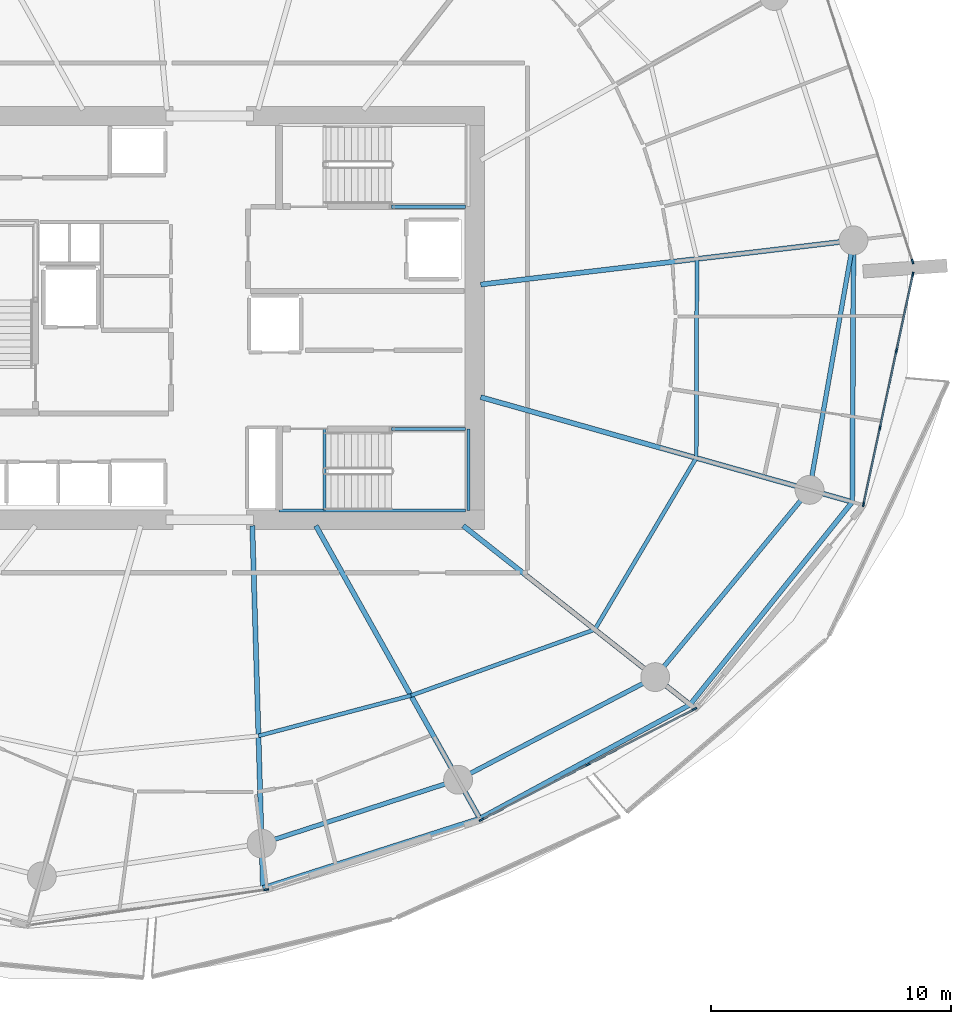
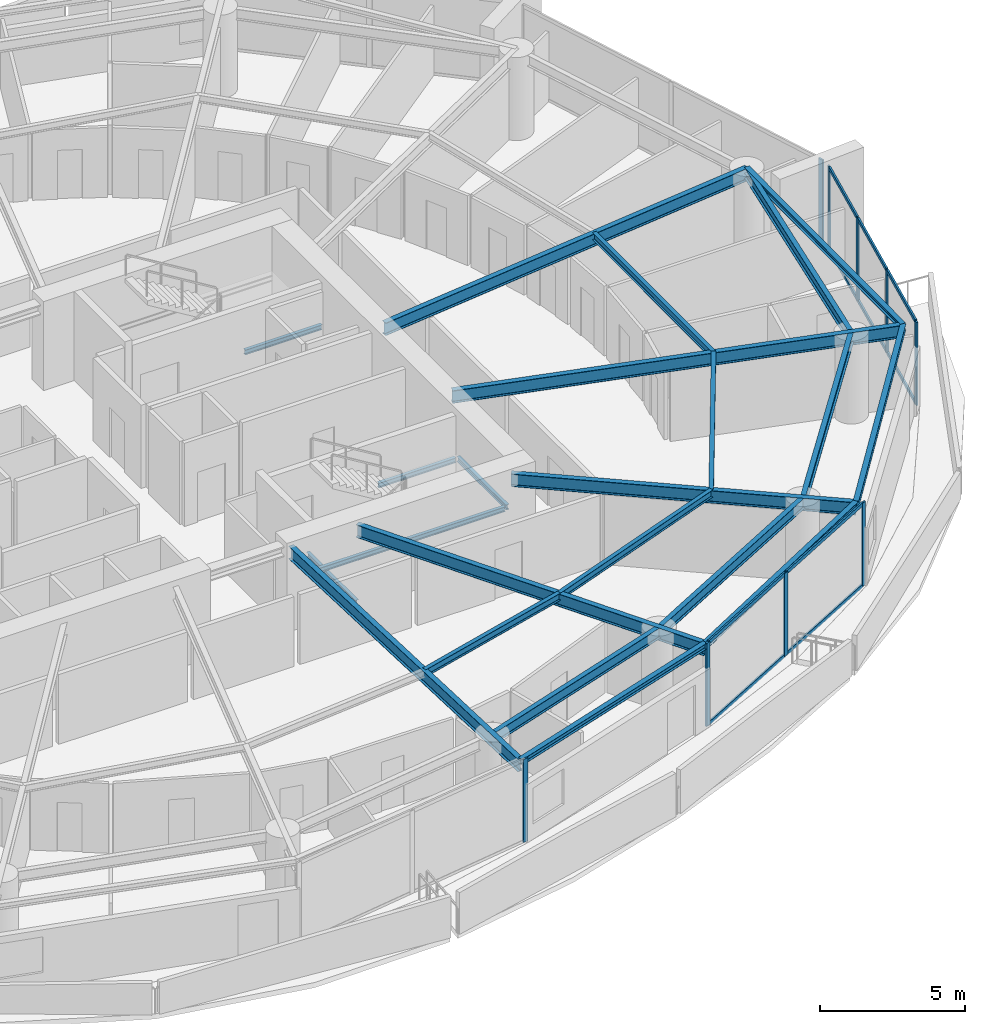
# One storey, part 7 of 23: 22 beams, 19 members, 4 elements without a shape of their own.
"""IFC4 building model written with IfcOpenShell, lengths in metres."""

from ifc_helpers import new_model, si_unit, direction, frame, origin, origin_2d, place, context, subcontext, project, spatial, rectangle, i_section, extrude, material, layer, layer_set, material_profile, profile_set, type_object, element, aggregate, save


model = new_model("IFC4")

# Units and contexts
model_context = context("Model", 3, precision=1e-05, world=origin(), true_north=direction((0.0, 1.0)))
body_context = subcontext(model_context, "Body", "Model", "MODEL_VIEW")
ifc_project = project(units=[si_unit("LENGTHUNIT", "METRE"), si_unit("AREAUNIT", "SQUARE_METRE"), si_unit("VOLUMEUNIT", "CUBIC_METRE"), si_unit("PLANEANGLEUNIT", "RADIAN"), si_unit("MASSUNIT", "GRAM", prefix="KILO")], contexts=[model_context])

# Site, building, storey
site_placement = place(None, origin())
site = spatial("IfcSite", under=ifc_project, at=site_placement, CompositionType="ELEMENT")
building_placement = place(site_placement, origin())
building = spatial("IfcBuilding", under=site, at=building_placement, Name="Kazma Halo Residences", CompositionType="ELEMENT")
storey_placement = place(building_placement, frame((0.0, 0.0, 105.14990234375)))
storey = spatial("IfcBuildingStorey", under=building, at=storey_placement, Name="L26", CompositionType="ELEMENT", Elevation=105.14990234375)

# Beams
ifc_material_1 = material(Name="Steel S355", Category="steel")
ifc_material_profile_1 = material_profile(ifc_material_1, i_section(OverallWidth=0.201904296875, OverallDepth=0.2470703125, WebThickness=0.00732421875, FlangeThickness=0.010986328125, FilletRadius=0.011962890625, at=origin_2d()), Name="W250x49.1")
ifc_profile_set_1 = profile_set([ifc_material_profile_1], Name="Steel S355")
beam_type_1 = type_object("IfcBeamType", Name="BM-BAL-CANT", PredefinedType="BEAM", material=ifc_profile_set_1)
beam_1_placement = place(storey_placement, frame((50.642578125, 18.28173828125, 3.376708984375), z_axis=(0.952319061301, 0.305103925709, 0.0), x_axis=(-0.305103925709, 0.952319061301, 0.0)))
element("IfcBeam", 1, at=beam_1_placement, inside=storey, type_object=beam_type_1, Name="L26 wave-balcony tie beam 12", PredefinedType="BEAM", context=body_context, shape_type="SweptSolid", body=[
    extrude(i_section(OverallWidth=0.201904296875, OverallDepth=0.2470703125, WebThickness=0.00732421875, FlangeThickness=0.010986328125, FilletRadius=0.011962890625, at=origin_2d()), origin(), (0.0, 0.0, 1.0), 9.473388671875),
])
beam_2_placement = place(storey_placement, frame((59.664306640625, 21.172119140625, 3.376708984375), z_axis=(0.87930438671, 0.476260218276, 0.0), x_axis=(-0.476260218276, 0.87930438671, 0.0)))
element("IfcBeam", 2, at=beam_2_placement, inside=storey, type_object=beam_type_1, Name="L26 wave-balcony tie beam 13", PredefinedType="BEAM", context=body_context, shape_type="SweptSolid", body=[
    extrude(i_section(OverallWidth=0.201904296875, OverallDepth=0.2470703125, WebThickness=0.00732421875, FlangeThickness=0.010986328125, FilletRadius=0.011962890625, at=origin_2d()), origin(), (0.0, 0.0, 1.0), 9.94677734375),
])
beam_3_placement = place(storey_placement, frame((68.41064453125, 25.909423828125, 3.376708984375), z_axis=(0.62477775999, 0.78080263231, 0.0), x_axis=(-0.78080263231, 0.62477775999, 0.0)))
element("IfcBeam", 3, at=beam_3_placement, inside=storey, type_object=beam_type_1, Name="L26 wave-balcony tie beam 14", PredefinedType="BEAM", context=body_context, shape_type="SweptSolid", body=[
    extrude(i_section(OverallWidth=0.201904296875, OverallDepth=0.2470703125, WebThickness=0.00732421875, FlangeThickness=0.010986328125, FilletRadius=0.011962890625, at=origin_2d()), origin(), (0.0, 0.0, 1.0), 10.79833984375),
])
beam_4_placement = place(storey_placement, frame((75.1572265625, 34.3408203125, 3.376708984375), z_axis=(0.004532963616, 0.999989726068, 0.0), x_axis=(-0.999989726068, 0.004532963616, 0.0)))
element("IfcBeam", 4, at=beam_4_placement, inside=storey, type_object=beam_type_1, Name="L26 wave-balcony tie beam 15", PredefinedType="BEAM", context=body_context, shape_type="SweptSolid", body=[
    extrude(i_section(OverallWidth=0.201904296875, OverallDepth=0.2470703125, WebThickness=0.00732421875, FlangeThickness=0.010986328125, FilletRadius=0.011962890625, at=origin_2d()), origin(), (0.0, 0.0, 1.0), 10.87939453125),
])
ifc_material_profile_2 = material_profile(ifc_material_1, i_section(OverallWidth=0.208984375, OverallDepth=0.532958984375, WebThickness=0.01025390625, FlangeThickness=0.015625, FilletRadius=0.01611328125, at=origin_2d()), Name="W530x92")
ifc_profile_set_2 = profile_set([ifc_material_profile_2], Name="Steel S355")
beam_type_2 = type_object("IfcBeamType", Name="BM-RAD-W530", PredefinedType="BEAM", material=ifc_profile_set_2)
beam_5_placement = place(storey_placement, frame((50.199951171875, 33.35009765625, 3.233642578125), z_axis=(0.029361929959, -0.999568845587, 0.0), x_axis=(0.999568845587, 0.029361929959, 0.0)))
element("IfcBeam", 5, at=beam_5_placement, inside=storey, type_object=beam_type_2, Name="L26 radial floor beam 12", PredefinedType="BEAM", context=body_context, shape_type="SweptSolid", body=[
    extrude(i_section(OverallWidth=0.208984375, OverallDepth=0.532958984375, WebThickness=0.01025390625, FlangeThickness=0.015625, FilletRadius=0.01611328125, at=origin_2d()), origin(), (0.0, 0.0, 1.0), 15.074951171875),
])
beam_6_placement = place(storey_placement, frame((52.84423828125, 33.35009765625, 3.233642578125), z_axis=(0.488625206529, -0.872493786536, 0.0), x_axis=(0.872493786536, 0.488625206529, 0.0)))
element("IfcBeam", 6, at=beam_6_placement, inside=storey, type_object=beam_type_2, Name="L26 radial floor beam 13", PredefinedType="BEAM", context=body_context, shape_type="SweptSolid", body=[
    extrude(i_section(OverallWidth=0.208984375, OverallDepth=0.532958984375, WebThickness=0.01025390625, FlangeThickness=0.015625, FilletRadius=0.01611328125, at=origin_2d()), origin(), (0.0, 0.0, 1.0), 13.957763671875),
])
beam_7_placement = place(storey_placement, frame((58.972412109375, 33.35009765625, 3.233642578125), z_axis=(0.785309999923, -0.619102741086, 0.0), x_axis=(0.619102741086, 0.785309999923, 0.0)))
element("IfcBeam", 7, at=beam_7_placement, inside=storey, type_object=beam_type_2, Name="L26 radial floor beam 14", PredefinedType="BEAM", context=body_context, shape_type="SweptSolid", body=[
    extrude(i_section(OverallWidth=0.208984375, OverallDepth=0.532958984375, WebThickness=0.01025390625, FlangeThickness=0.015625, FilletRadius=0.01611328125, at=origin_2d()), origin(), (0.0, 0.0, 1.0), 12.0185546875),
])
beam_8_placement = place(storey_placement, frame((59.699951171875, 38.7001953125, 3.233642578125), z_axis=(0.962455684158, -0.271438862419, 0.0), x_axis=(0.271438862419, 0.962455684158, 0.0)))
element("IfcBeam", 8, at=beam_8_placement, inside=storey, type_object=beam_type_2, Name="L26 radial floor beam 15", PredefinedType="BEAM", context=body_context, shape_type="SweptSolid", body=[
    extrude(i_section(OverallWidth=0.208984375, OverallDepth=0.532958984375, WebThickness=0.01025390625, FlangeThickness=0.015625, FilletRadius=0.01611328125, at=origin_2d()), origin(), (0.0, 0.0, 1.0), 16.060302734375),
])
beam_9_placement = place(storey_placement, frame((59.699951171875, 43.384765625, 3.233642578125), z_axis=(0.993067536486, 0.1175451742, 0.0), x_axis=(-0.1175451742, 0.993067536486, 0.0)))
element("IfcBeam", 9, at=beam_9_placement, inside=storey, type_object=beam_type_2, Name="L26 radial floor beam 16", PredefinedType="BEAM", context=body_context, shape_type="SweptSolid", body=[
    extrude(i_section(OverallWidth=0.208984375, OverallDepth=0.532958984375, WebThickness=0.01025390625, FlangeThickness=0.015625, FilletRadius=0.01611328125, at=origin_2d()), origin(), (0.0, 0.0, 1.0), 15.61474609375),
])
ifc_material_profile_3 = material_profile(ifc_material_1, i_section(OverallWidth=0.1650390625, OverallDepth=0.31005859375, WebThickness=0.005859375, FlangeThickness=0.009765625, FilletRadius=0.011962890625, at=origin_2d()), Name="W310x38.7")
ifc_profile_set_3 = profile_set([ifc_material_profile_3], Name="Steel S355")
beam_type_3 = type_object("IfcBeamType", Name="BM-SEC-W310B", PredefinedType="JOIST", material=ifc_profile_set_3)
beam_10_placement = place(storey_placement, frame((50.456787109375, 24.6103515625, 3.34521484375), z_axis=(0.966800191214, 0.255533540398, 0.0), x_axis=(-0.255533540398, 0.966800191214, 0.0)))
element("IfcBeam", 10, at=beam_10_placement, inside=storey, type_object=beam_type_3, Name="L26 circumferential floor joist 12", PredefinedType="JOIST", context=body_context, shape_type="SweptSolid", body=[
    extrude(i_section(OverallWidth=0.1650390625, OverallDepth=0.31005859375, WebThickness=0.005859375, FlangeThickness=0.009765625, FilletRadius=0.011962890625, at=origin_2d()), origin(), (0.0, 0.0, 1.0), 6.560791015625),
])
beam_11_placement = place(storey_placement, frame((56.7998046875, 26.286865234375, 3.34521484375), z_axis=(0.941097126818, 0.338136359913, 0.0), x_axis=(-0.338136359913, 0.941097126818, 0.0)))
element("IfcBeam", 11, at=beam_11_placement, inside=storey, type_object=beam_type_3, Name="L26 circumferential floor joist 13", PredefinedType="JOIST", context=body_context, shape_type="SweptSolid", body=[
    extrude(i_section(OverallWidth=0.1650390625, OverallDepth=0.31005859375, WebThickness=0.005859375, FlangeThickness=0.009765625, FilletRadius=0.011962890625, at=origin_2d()), origin(), (0.0, 0.0, 1.0), 8.12548828125),
])
beam_12_placement = place(storey_placement, frame((64.44677734375, 29.034423828125, 3.34521484375), z_axis=(0.508811652677, 0.860877867122, 0.0), x_axis=(-0.860877867122, 0.508811652677, 0.0)))
element("IfcBeam", 12, at=beam_12_placement, inside=storey, type_object=beam_type_3, Name="L26 circumferential floor joist 14", PredefinedType="JOIST", context=body_context, shape_type="SweptSolid", body=[
    extrude(i_section(OverallWidth=0.1650390625, OverallDepth=0.31005859375, WebThickness=0.005859375, FlangeThickness=0.009765625, FilletRadius=0.011962890625, at=origin_2d()), origin(), (0.0, 0.0, 1.0), 8.291015625),
])
beam_13_placement = place(storey_placement, frame((68.665283203125, 36.171875, 3.34521484375), z_axis=(0.003450899697, 0.999994045628, 0.0), x_axis=(-0.999994045628, 0.003450899697, 0.0)))
element("IfcBeam", 13, at=beam_13_placement, inside=storey, type_object=beam_type_3, Name="L26 circumferential floor joist 15", PredefinedType="JOIST", context=body_context, shape_type="SweptSolid", body=[
    extrude(i_section(OverallWidth=0.1650390625, OverallDepth=0.31005859375, WebThickness=0.005859375, FlangeThickness=0.009765625, FilletRadius=0.011962890625, at=origin_2d()), origin(), (0.0, 0.0, 1.0), 8.27734375),
])
ifc_material_profile_4 = material_profile(ifc_material_1, i_section(OverallWidth=0.18994140625, OverallDepth=0.45703125, WebThickness=0.009033203125, FlangeThickness=0.014404296875, FilletRadius=0.01611328125, at=origin_2d()), Name="W460x74")
ifc_profile_set_4 = profile_set([ifc_material_profile_4], Name="Steel S355")
beam_type_4 = type_object("IfcBeamType", Name="BM-SPN-W460", PredefinedType="BEAM", material=ifc_profile_set_4)
beam_14_placement = place(storey_placement, frame((50.58837890625, 20.130859375, 3.271484375), z_axis=(0.951054111927, 0.30902439416, 0.0), x_axis=(-0.30902439416, 0.951054111927, 0.0)))
element("IfcBeam", 14, at=beam_14_placement, inside=storey, type_object=beam_type_4, Name="L26 perimeter ring beam 12", PredefinedType="BEAM", context=body_context, shape_type="SweptSolid", body=[
    extrude(i_section(OverallWidth=0.18994140625, OverallDepth=0.45703125, WebThickness=0.009033203125, FlangeThickness=0.014404296875, FilletRadius=0.01611328125, at=origin_2d()), origin(), (0.0, 0.0, 1.0), 8.592529296875),
])
beam_15_placement = place(storey_placement, frame((58.76025390625, 22.7861328125, 3.271484375), z_axis=(0.886963229644, 0.461840047266, 0.0), x_axis=(-0.461840047266, 0.886963229644, 0.0)))
element("IfcBeam", 15, at=beam_15_placement, inside=storey, type_object=beam_type_4, Name="L26 perimeter ring beam 13", PredefinedType="BEAM", context=body_context, shape_type="SweptSolid", body=[
    extrude(i_section(OverallWidth=0.18994140625, OverallDepth=0.45703125, WebThickness=0.009033203125, FlangeThickness=0.014404296875, FilletRadius=0.01611328125, at=origin_2d()), origin(), (0.0, 0.0, 1.0), 9.242431640625),
])
beam_16_placement = place(storey_placement, frame((66.9580078125, 27.0546875, 3.271484375), z_axis=(0.635989564566, 0.771697656963, 0.0), x_axis=(-0.771697656963, 0.635989564566, 0.0)))
element("IfcBeam", 16, at=beam_16_placement, inside=storey, type_object=beam_type_4, Name="L26 perimeter ring beam 14", PredefinedType="BEAM", context=body_context, shape_type="SweptSolid", body=[
    extrude(i_section(OverallWidth=0.18994140625, OverallDepth=0.45703125, WebThickness=0.009033203125, FlangeThickness=0.014404296875, FilletRadius=0.01611328125, at=origin_2d()), origin(), (0.0, 0.0, 1.0), 10.092529296875),
])
beam_17_placement = place(storey_placement, frame((73.376708984375, 34.843017578125, 3.271484375), z_axis=(0.173653159051, 0.984806874647, 0.0), x_axis=(-0.984806874647, 0.173653159051, 0.0)))
element("IfcBeam", 17, at=beam_17_placement, inside=storey, type_object=beam_type_4, Name="L26 perimeter ring beam 15", PredefinedType="BEAM", context=body_context, shape_type="SweptSolid", body=[
    extrude(i_section(OverallWidth=0.18994140625, OverallDepth=0.45703125, WebThickness=0.009033203125, FlangeThickness=0.014404296875, FilletRadius=0.01611328125, at=origin_2d()), origin(), (0.0, 0.0, 1.0), 10.537353515625),
])
ifc_material_profile_5 = material_profile(ifc_material_1, i_section(OverallWidth=0.133056640625, OverallDepth=0.20703125, WebThickness=0.005859375, FlangeThickness=0.00830078125, FilletRadius=0.010009765625, at=origin_2d()), Name="W200x26.6")
ifc_profile_set_5 = profile_set([ifc_material_profile_5], Name="Steel S355")
beam_type_5 = type_object("IfcBeamType", Name="BM-TRIM-W200", PredefinedType="BEAM", material=ifc_profile_set_5)
beam_18_placement = place(storey_placement, frame((53.199951171875, 34.0, -0.35986328125), z_axis=(0.0, 1.0, 0.0), x_axis=(-1.0, 0.0, 0.0)))
element("IfcBeam", 18, at=beam_18_placement, inside=storey, type_object=beam_type_5, Name="L26 ST-03 floor landing support beam", PredefinedType="BEAM", context=body_context, shape_type="SweptSolid", body=[
    extrude(i_section(OverallWidth=0.133056640625, OverallDepth=0.20703125, WebThickness=0.005859375, FlangeThickness=0.00830078125, FilletRadius=0.010009765625, at=origin_2d()), origin(), (0.0, 0.0, 1.0), 3.3798828125),
])
beam_19_placement = place(storey_placement, frame((56.0, 46.6201171875, 1.570068359375), z_axis=(1.0, 0.0, 0.0), x_axis=(0.0, 1.0, 0.0)))
element("IfcBeam", 19, at=beam_19_placement, inside=storey, type_object=beam_type_5, Name="L26 ST-02 landing south wall ledger", PredefinedType="BEAM", context=body_context, shape_type="SweptSolid", body=[
    extrude(i_section(OverallWidth=0.133056640625, OverallDepth=0.20703125, WebThickness=0.005859375, FlangeThickness=0.00830078125, FilletRadius=0.010009765625, at=origin_2d()), origin(), (0.0, 0.0, 1.0), 3.070068359375),
])
beam_20_placement = place(storey_placement, frame((51.31005859375, 33.97998046875, 1.570068359375), z_axis=(1.0, 0.0, 0.0), x_axis=(0.0, 1.0, 0.0)))
element("IfcBeam", 20, at=beam_20_placement, inside=storey, type_object=beam_type_5, Name="L26 ST-03 landing south wall ledger", PredefinedType="BEAM", context=body_context, shape_type="SweptSolid", body=[
    extrude(i_section(OverallWidth=0.133056640625, OverallDepth=0.20703125, WebThickness=0.005859375, FlangeThickness=0.00830078125, FilletRadius=0.010009765625, at=origin_2d()), origin(), (0.0, 0.0, 1.0), 7.760009765625),
])
beam_21_placement = place(storey_placement, frame((56.0, 37.3798828125, 1.570068359375), z_axis=(1.0, 0.0, 0.0), x_axis=(0.0, 1.0, 0.0)))
element("IfcBeam", 21, at=beam_21_placement, inside=storey, type_object=beam_type_5, Name="L26 ST-03 landing north wall ledger", PredefinedType="BEAM", context=body_context, shape_type="SweptSolid", body=[
    extrude(i_section(OverallWidth=0.133056640625, OverallDepth=0.20703125, WebThickness=0.005859375, FlangeThickness=0.00830078125, FilletRadius=0.010009765625, at=origin_2d()), origin(), (0.0, 0.0, 1.0), 3.070068359375),
])
beam_22_placement = place(storey_placement, frame((59.18994140625, 33.97998046875, 1.570068359375), z_axis=(0.0, 1.0, 0.0), x_axis=(-1.0, 0.0, 0.0)))
element("IfcBeam", 22, at=beam_22_placement, inside=storey, type_object=beam_type_5, Name="L26 ST-03 landing end wall ledger", PredefinedType="BEAM", context=body_context, shape_type="SweptSolid", body=[
    extrude(i_section(OverallWidth=0.133056640625, OverallDepth=0.20703125, WebThickness=0.005859375, FlangeThickness=0.00830078125, FilletRadius=0.010009765625, at=origin_2d()), origin(), (0.0, 0.0, 1.0), 3.39990234375),
])

# Curtain wall, member
ifc_material_2 = material(Name="Aluminium AW-6063 T6 and Triple-Silver Low-E Glass", Category="aluminium")
ifc_layer = layer(ifc_material_2, 0.199951171875)
ifc_layer_set = layer_set([ifc_layer], Name="Aluminium AW-6063 T6 and Triple-Silver Low-E Glass")
curtain_wall_type = type_object("IfcCurtainWallType", Name="CW-SYS-3", PredefinedType="NOTDEFINED", material=ifc_layer_set)
curtain_wall_1_placement = place(storey_placement, origin())
curtain_wall_1 = element("IfcCurtainWall", 23, at=curtain_wall_1_placement, inside=storey, type_object=curtain_wall_type, Name="L26 unitised curtain wall B11", PredefinedType="NOTDEFINED")
ifc_material_3 = material(Name="Aluminium AW-6063 T6", Category="aluminium")
ifc_material_profile_6 = material_profile(ifc_material_3, rectangle(XDim=0.070068359375, YDim=0.199951171875, at=origin_2d()), Name="CWM-70x200")
ifc_profile_set_6 = profile_set([ifc_material_profile_6], Name="Aluminium AW-6063 T6")
member_type_1 = type_object("IfcMemberType", Name="CW-SYS-3-MUL", PredefinedType="MULLION", material=ifc_profile_set_6)
member_1_placement = place(storey_placement, frame((50.780029296875, 18.21337890625, 0.0), z_axis=(0.0, 0.0, 1.0), x_axis=(-0.148717330409, 0.988879747814, 0.0)))
member_1 = element("IfcMember", 24, at=member_1_placement, type_object=member_type_1, Name="CWS-3 mullion 3", PredefinedType="MULLION", context=body_context, shape_type="SweptSolid", body=[
    extrude(rectangle(XDim=0.070068359375, YDim=0.199951171875, at=origin_2d()), origin(), (0.0, 0.0, 1.0), 3.5),
])
aggregate(curtain_wall_1, [member_1])

# Curtain wall, members
curtain_wall_2_placement = place(storey_placement, origin())
curtain_wall_2 = element("IfcCurtainWall", 25, at=curtain_wall_2_placement, inside=storey, type_object=curtain_wall_type, Name="L26 unitised curtain wall B13", PredefinedType="NOTDEFINED")
member_2_placement = place(storey_placement, frame((59.732177734375, 21.1220703125, 0.0), z_axis=(0.0, 0.0, 1.0), x_axis=(-0.460932159481, 0.887435374749, 0.0)))
member_2 = element("IfcMember", 26, at=member_2_placement, type_object=member_type_1, Name="CWS-3 mullion 1", PredefinedType="MULLION", context=body_context, shape_type="SweptSolid", body=[
    extrude(rectangle(XDim=0.070068359375, YDim=0.199951171875, at=origin_2d()), origin(), (0.0, 0.0, 1.0), 3.5),
])
member_3_placement = place(storey_placement, frame((64.1630859375, 23.42333984375, 0.0), z_axis=(0.0, 0.0, 1.0), x_axis=(-0.460932159481, 0.887435374749, 0.0)))
member_3 = element("IfcMember", 27, at=member_3_placement, type_object=member_type_1, Name="CWS-3 mullion 2", PredefinedType="MULLION", context=body_context, shape_type="SweptSolid", body=[
    extrude(rectangle(XDim=0.070068359375, YDim=0.199951171875, at=origin_2d()), origin(), (0.0, 0.0, 1.0), 3.5),
])
member_4_placement = place(storey_placement, frame((68.59375, 25.724609375, 0.0), z_axis=(0.0, 0.0, 1.0), x_axis=(-0.460932159481, 0.887435374749, 0.0)))
member_4 = element("IfcMember", 28, at=member_4_placement, type_object=member_type_1, Name="CWS-3 mullion 3", PredefinedType="MULLION", context=body_context, shape_type="SweptSolid", body=[
    extrude(rectangle(XDim=0.070068359375, YDim=0.199951171875, at=origin_2d()), origin(), (0.0, 0.0, 1.0), 3.5),
])

curtain_wall_3_placement = place(storey_placement, origin())
curtain_wall_3 = element("IfcCurtainWall", 29, at=curtain_wall_3_placement, inside=storey, type_object=curtain_wall_type, Name="L26 unitised curtain wall B15", PredefinedType="NOTDEFINED")
member_5_placement = place(storey_placement, frame((75.6259765625, 34.244873046875, 0.0), z_axis=(0.0, 0.0, 1.0), x_axis=(-0.977774176093, 0.209660822677, 0.0)))
member_5 = element("IfcMember", 30, at=member_5_placement, type_object=member_type_1, Name="CWS-3 mullion 1", PredefinedType="MULLION", context=body_context, shape_type="SweptSolid", body=[
    extrude(rectangle(XDim=0.070068359375, YDim=0.199951171875, at=origin_2d()), origin(), (0.0, 0.0, 1.0), 3.5),
])
member_6_placement = place(storey_placement, frame((76.30712890625, 37.4208984375, 0.0), z_axis=(0.0, 0.0, 1.0), x_axis=(-0.977774176093, 0.209660822677, 0.0)))
member_6 = element("IfcMember", 31, at=member_6_placement, type_object=member_type_1, Name="CWS-3 mullion 2", PredefinedType="MULLION", context=body_context, shape_type="SweptSolid", body=[
    extrude(rectangle(XDim=0.070068359375, YDim=0.199951171875, at=origin_2d()), origin(), (0.0, 0.0, 1.0), 3.5),
])
member_7_placement = place(storey_placement, frame((76.995361328125, 40.63134765625, 0.0), z_axis=(0.0, 0.0, 1.0), x_axis=(-0.977774176093, 0.209660822677, 0.0)))
member_7 = element("IfcMember", 32, at=member_7_placement, type_object=member_type_1, Name="CWS-3 mullion 3", PredefinedType="MULLION", context=body_context, shape_type="SweptSolid", body=[
    extrude(rectangle(XDim=0.070068359375, YDim=0.199951171875, at=origin_2d()), origin(), (0.0, 0.0, 1.0), 3.5),
])
member_8_placement = place(storey_placement, frame((77.676513671875, 43.807373046875, 0.0), z_axis=(0.0, 0.0, 1.0), x_axis=(-0.977774176093, 0.209660822677, 0.0)))
member_8 = element("IfcMember", 33, at=member_8_placement, type_object=member_type_1, Name="CWS-3 mullion 4", PredefinedType="MULLION", context=body_context, shape_type="SweptSolid", body=[
    extrude(rectangle(XDim=0.070068359375, YDim=0.199951171875, at=origin_2d()), origin(), (0.0, 0.0, 1.0), 3.5),
])

# Curtain wall, member
curtain_wall_4_placement = place(storey_placement, origin())
curtain_wall_4 = element("IfcCurtainWall", 34, at=curtain_wall_4_placement, inside=storey, type_object=curtain_wall_type, Name="L26 unitised curtain wall B16", PredefinedType="NOTDEFINED")
member_9_placement = place(storey_placement, frame((77.665283203125, 44.3427734375, 0.0), z_axis=(0.0, 0.0, 1.0), x_axis=(-0.951057722508, -0.309013282008, 0.0)))
member_9 = element("IfcMember", 35, at=member_9_placement, type_object=member_type_1, Name="CWS-3 mullion 1", PredefinedType="MULLION", context=body_context, shape_type="SweptSolid", body=[
    extrude(rectangle(XDim=0.070068359375, YDim=0.199951171875, at=origin_2d()), origin(), (0.0, 0.0, 1.0), 3.5),
])
aggregate(curtain_wall_4, [member_9])

# Member
ifc_material_profile_7 = material_profile(ifc_material_3, rectangle(XDim=0.070068359375, YDim=0.14990234375, at=origin_2d()), Name="CWT-70x150")
ifc_profile_set_7 = profile_set([ifc_material_profile_7], Name="Aluminium AW-6063 T6")
member_type_2 = type_object("IfcMemberType", Name="CW-SYS-3-TRN", PredefinedType="USERDEFINED", material=ifc_profile_set_7)
member_10_placement = place(storey_placement, frame((59.763427734375, 21.13818359375, 0.03515625), z_axis=(0.887427024944, 0.460948235054, 0.0), x_axis=(-0.460948235054, 0.887427024944, 0.0)))
member_10 = element("IfcMember", 36, at=member_10_placement, type_object=member_type_2, Name="CWS-3 transom 1.1", ObjectType="TRANSOM", PredefinedType="USERDEFINED", context=body_context, shape_type="SweptSolid", body=[
    extrude(rectangle(XDim=0.070068359375, YDim=0.14990234375, at=origin_2d()), origin(), (0.0, 0.0, 1.0), 4.922607421875),
])

member_11_placement = place(storey_placement, frame((59.763427734375, 21.13818359375, 3.465087890625), z_axis=(0.887427024944, 0.460948235054, 0.0), x_axis=(-0.460948235054, 0.887427024944, 0.0)))
member_11 = element("IfcMember", 37, at=member_11_placement, type_object=member_type_2, Name="CWS-3 transom 1.2", ObjectType="TRANSOM", PredefinedType="USERDEFINED", context=body_context, shape_type="SweptSolid", body=[
    extrude(rectangle(XDim=0.070068359375, YDim=0.14990234375, at=origin_2d()), origin(), (0.0, 0.0, 1.0), 4.922607421875),
])

member_12_placement = place(storey_placement, frame((64.194091796875, 23.439453125, 0.03515625), z_axis=(0.887437562141, 0.460927948058, 0.0), x_axis=(-0.460927948058, 0.887437562141, 0.0)))
member_12 = element("IfcMember", 38, at=member_12_placement, type_object=member_type_2, Name="CWS-3 transom 2.1", ObjectType="TRANSOM", PredefinedType="USERDEFINED", context=body_context, shape_type="SweptSolid", body=[
    extrude(rectangle(XDim=0.070068359375, YDim=0.14990234375, at=origin_2d()), origin(), (0.0, 0.0, 1.0), 4.9228515625),
])

member_13_placement = place(storey_placement, frame((64.194091796875, 23.439453125, 3.465087890625), z_axis=(0.887437562141, 0.460927948058, 0.0), x_axis=(-0.460927948058, 0.887437562141, 0.0)))
member_13 = element("IfcMember", 39, at=member_13_placement, type_object=member_type_2, Name="CWS-3 transom 2.2", ObjectType="TRANSOM", PredefinedType="USERDEFINED", context=body_context, shape_type="SweptSolid", body=[
    extrude(rectangle(XDim=0.070068359375, YDim=0.14990234375, at=origin_2d()), origin(), (0.0, 0.0, 1.0), 4.9228515625),
])

aggregate(curtain_wall_2, [member_2, member_3, member_4, member_10, member_11, member_12, member_13])

member_14_placement = place(storey_placement, frame((75.63330078125, 34.279052734375, 0.03515625), z_axis=(0.209702197956, 0.977765303216, 0.0), x_axis=(-0.977765303216, 0.209702197956, 0.0)))
member_14 = element("IfcMember", 40, at=member_14_placement, type_object=member_type_2, Name="CWS-3 transom 1.1", ObjectType="TRANSOM", PredefinedType="USERDEFINED", context=body_context, shape_type="SweptSolid", body=[
    extrude(rectangle(XDim=0.070068359375, YDim=0.14990234375, at=origin_2d()), origin(), (0.0, 0.0, 1.0), 3.17822265625),
])

member_15_placement = place(storey_placement, frame((75.63330078125, 34.279052734375, 3.465087890625), z_axis=(0.209702197956, 0.977765303216, 0.0), x_axis=(-0.977765303216, 0.209702197956, 0.0)))
member_15 = element("IfcMember", 41, at=member_15_placement, type_object=member_type_2, Name="CWS-3 transom 1.2", ObjectType="TRANSOM", PredefinedType="USERDEFINED", context=body_context, shape_type="SweptSolid", body=[
    extrude(rectangle(XDim=0.070068359375, YDim=0.14990234375, at=origin_2d()), origin(), (0.0, 0.0, 1.0), 3.17822265625),
])

member_16_placement = place(storey_placement, frame((76.314453125, 37.455078125, 0.03515625), z_axis=(0.209627675811, 0.977781283076, 0.0), x_axis=(-0.977781283076, 0.209627675811, 0.0)))
member_16 = element("IfcMember", 42, at=member_16_placement, type_object=member_type_2, Name="CWS-3 transom 2.1", ObjectType="TRANSOM", PredefinedType="USERDEFINED", context=body_context, shape_type="SweptSolid", body=[
    extrude(rectangle(XDim=0.070068359375, YDim=0.14990234375, at=origin_2d()), origin(), (0.0, 0.0, 1.0), 3.213134765625),
])

member_17_placement = place(storey_placement, frame((76.314453125, 37.455078125, 3.465087890625), z_axis=(0.209627675811, 0.977781283076, 0.0), x_axis=(-0.977781283076, 0.209627675811, 0.0)))
member_17 = element("IfcMember", 43, at=member_17_placement, type_object=member_type_2, Name="CWS-3 transom 2.2", ObjectType="TRANSOM", PredefinedType="USERDEFINED", context=body_context, shape_type="SweptSolid", body=[
    extrude(rectangle(XDim=0.070068359375, YDim=0.14990234375, at=origin_2d()), origin(), (0.0, 0.0, 1.0), 3.213134765625),
])

member_18_placement = place(storey_placement, frame((77.002685546875, 40.66552734375, 0.03515625), z_axis=(0.209717949017, 0.977761924939, 0.0), x_axis=(-0.977761924939, 0.209717949017, 0.0)))
member_18 = element("IfcMember", 44, at=member_18_placement, type_object=member_type_2, Name="CWS-3 transom 3.1", ObjectType="TRANSOM", PredefinedType="USERDEFINED", context=body_context, shape_type="SweptSolid", body=[
    extrude(rectangle(XDim=0.070068359375, YDim=0.14990234375, at=origin_2d()), origin(), (0.0, 0.0, 1.0), 3.177978515625),
])

member_19_placement = place(storey_placement, frame((77.002685546875, 40.66552734375, 3.465087890625), z_axis=(0.209717949017, 0.977761924939, 0.0), x_axis=(-0.977761924939, 0.209717949017, 0.0)))
member_19 = element("IfcMember", 45, at=member_19_placement, type_object=member_type_2, Name="CWS-3 transom 3.2", ObjectType="TRANSOM", PredefinedType="USERDEFINED", context=body_context, shape_type="SweptSolid", body=[
    extrude(rectangle(XDim=0.070068359375, YDim=0.14990234375, at=origin_2d()), origin(), (0.0, 0.0, 1.0), 3.177978515625),
])

aggregate(curtain_wall_3, [member_5, member_6, member_7, member_8, member_14, member_15, member_16, member_17, member_18, member_19])

save(model, "model.ifc")
